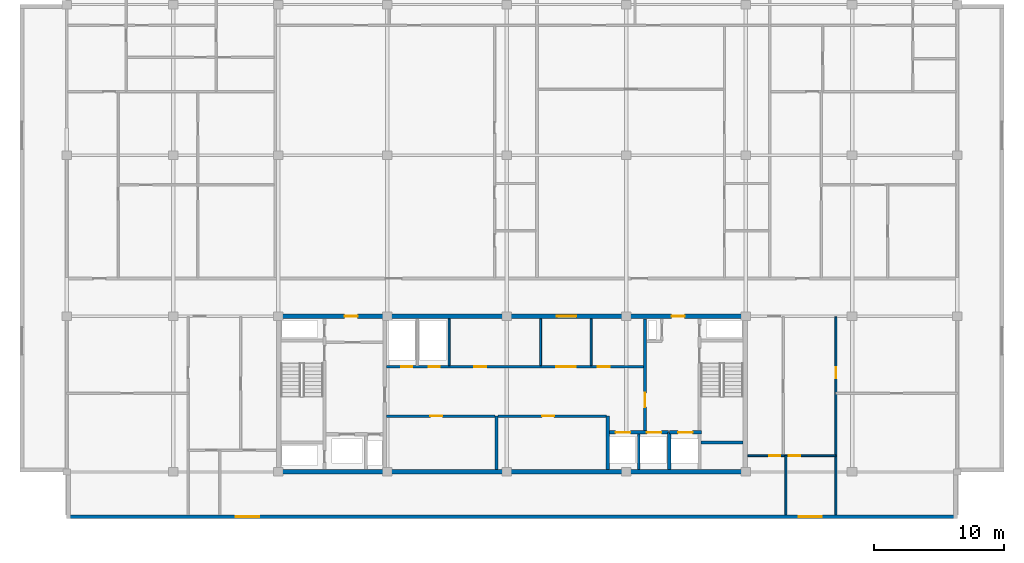
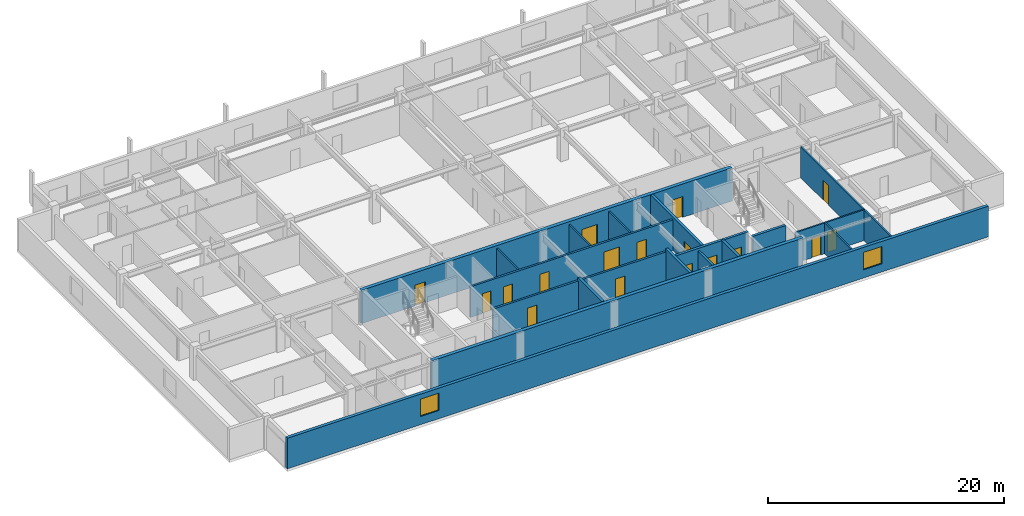
# One storey, part 4 of 10: 20 walls, 17 doors, 2 windows, 19 openings.
"""IFC4 building model written with IfcOpenShell, lengths in metres."""

from ifc_helpers import new_model, si_unit, direction, frame, frame_2d, origin, place, context, subcontext, project, spatial, rectangle, extrude, material, layer, layer_set, type_object, element, fill, save


model = new_model("IFC4")

# Units and contexts
model_context = context("Model", 3, precision=1e-05, world=origin(), true_north=direction((0.0, 1.0)))
body_context = subcontext(model_context, "Body", "Model", "MODEL_VIEW")
ifc_project = project(units=[si_unit("LENGTHUNIT", "METRE"), si_unit("AREAUNIT", "SQUARE_METRE"), si_unit("VOLUMEUNIT", "CUBIC_METRE"), si_unit("PLANEANGLEUNIT", "RADIAN"), si_unit("MASSUNIT", "GRAM", prefix="KILO")], contexts=[model_context])

# Site, building, storey
site_placement = place(None, origin())
site = spatial("IfcSite", under=ifc_project, at=site_placement, CompositionType="ELEMENT")
building_placement = place(site_placement, origin())
building = spatial("IfcBuilding", under=site, at=building_placement, Name="Korimba Cascade Residences", CompositionType="ELEMENT")
storey_placement = place(building_placement, frame((0.0, 0.0, 239.0)))
storey = spatial("IfcBuildingStorey", under=building, at=storey_placement, Name="L69", CompositionType="ELEMENT", Elevation=239.0)

# Wall, openings, windows
ifc_material_1 = material(Name="Precast concrete C40/50", Category="concrete")
ifc_layer_1 = layer(ifc_material_1, 0.300048828125)
ifc_layer_set_1 = layer_set([ifc_layer_1], Name="Precast concrete C40/50")
wall_type_1 = type_object("IfcWallType", Name="EW-STONE-300", PredefinedType="STANDARD", material=ifc_layer_set_1)
wall_1_placement = place(storey_placement, frame((59.800048828125, 51.75, 0.0), z_axis=(0.0, 0.0, 1.0), x_axis=(1.0, 0.0, 0.0)))
wall_1 = element("IfcWall", 1, at=wall_1_placement, inside=storey, type_object=wall_type_1, Name="L69 T1 Perimeter Stone Wall E00", PredefinedType="STANDARD", context=body_context, shape_type="SweptSolid", body=[
    extrude(rectangle(XDim=68.599853515625, YDim=0.300048828125, at=frame_2d((34.2998046875, 0.0))), origin(), (0.0, 0.0, 1.0), 3.169921875),
])
opening_1_placement = place(wall_1_placement, frame((13.02490234375, 0.0, 0.85009765625)))
opening_1 = element("IfcOpeningElement", 2, at=opening_1_placement, cuts=wall_1, Name="Opening W-02", PredefinedType="OPENING", context=body_context, shape_type="SweptSolid", body=[
    extrude(rectangle(XDim=1.800048828125, YDim=1.800048828125, at=frame_2d((0.89990234375, 0.89990234375))), frame((0.0, 0.16015625, 0.0), z_axis=(0.0, -1.0, 0.0), x_axis=(1.0, 0.0, 0.0)), (0.0, 0.0, 1.0), 0.320068359375),
])
opening_2_placement = place(wall_1_placement, frame((56.375, 0.0, 0.85009765625)))
opening_2 = element("IfcOpeningElement", 3, at=opening_2_placement, cuts=wall_1, Name="Opening W-02", PredefinedType="OPENING", context=body_context, shape_type="SweptSolid", body=[
    extrude(rectangle(XDim=1.800048828125, YDim=1.800048828125, at=frame_2d((0.89990234375, 0.89990234375))), frame((0.0, 0.16015625, 0.0), z_axis=(0.0, -1.0, 0.0), x_axis=(1.0, 0.0, 0.0)), (0.0, 0.0, 1.0), 0.320068359375),
])
ifc_material_2 = material(Name="Double-Glazed Aluminium Window", Category="aluminium")
window_type = type_object("IfcWindowType", Name="WIN-BED-1800", PartitioningType="SINGLE_PANEL", PredefinedType="WINDOW", material=ifc_material_2)
window_1_placement = place(opening_1_placement, origin())
window_1 = element("IfcWindow", 4, at=window_1_placement, inside=storey, type_object=window_type, Name="L69 T1 South Corner Bedroom Window 1", OverallHeight=1.800048828125, OverallWidth=1.800048828125, PartitioningType="SINGLE_PANEL", PredefinedType="WINDOW", context=body_context, shape_type="SweptSolid", body=[
    extrude(rectangle(XDim=1.800048828125, YDim=1.800048828125, at=frame_2d((0.89990234375, 0.89990234375))), frame((0.0, 0.030029296875, 0.0), z_axis=(0.0, -1.0, 0.0), x_axis=(1.0, 0.0, 0.0)), (0.0, 0.0, 1.0), 0.06005859375),
])
fill(opening_1, window_1)
window_2_placement = place(opening_2_placement, origin())
window_2 = element("IfcWindow", 5, at=window_2_placement, inside=storey, type_object=window_type, Name="L69 T1 South Corner Bedroom Window 2", OverallHeight=1.800048828125, OverallWidth=1.800048828125, PartitioningType="SINGLE_PANEL", PredefinedType="WINDOW", context=body_context, shape_type="SweptSolid", body=[
    extrude(rectangle(XDim=1.800048828125, YDim=1.800048828125, at=frame_2d((0.89990234375, 0.89990234375))), frame((0.0, 0.030029296875, 0.0), z_axis=(0.0, -1.0, 0.0), x_axis=(1.0, 0.0, 0.0)), (0.0, 0.0, 1.0), 0.06005859375),
])
fill(opening_2, window_2)

# Wall
ifc_material_3 = material(Name="Concrete C65/80", Category="concrete")
ifc_layer_2 = layer(ifc_material_3, 0.35009765625)
ifc_layer_set_2 = layer_set([ifc_layer_2], Name="Concrete C65/80")
wall_type_2 = type_object("IfcWallType", Name="WAL-CORE-350", PredefinedType="SHEAR", material=ifc_layer_set_2)
wall_2_placement = place(storey_placement, frame((75.949951171875, 55.199951171875, 0.0), z_axis=(0.0, 0.0, 1.0), x_axis=(1.0, 0.0, 0.0)))
element("IfcWall", 6, at=wall_2_placement, inside=storey, type_object=wall_type_2, Name="L69 Core Shear Wall CW-L69-T1-S", PredefinedType="SHEAR", context=body_context, shape_type="SweptSolid", body=[
    extrude(rectangle(XDim=36.300048828125, YDim=0.35009765625, at=frame_2d((18.14990234375, 0.0))), origin(), (0.0, 0.0, 1.0), 3.449951171875),
])

# Wall, openings, doors
wall_3_placement = place(storey_placement, frame((75.949951171875, 67.199951171875, 0.0), z_axis=(0.0, 0.0, 1.0), x_axis=(1.0, 0.0, 0.0)))
wall_3 = element("IfcWall", 7, at=wall_3_placement, inside=storey, type_object=wall_type_2, Name="L69 Core Shear Wall CW-L69-T1-N", PredefinedType="SHEAR", context=body_context, shape_type="SweptSolid", body=[
    extrude(rectangle(XDim=36.300048828125, YDim=0.35009765625, at=frame_2d((18.14990234375, 0.0))), origin(), (0.0, 0.0, 1.0), 3.449951171875),
])
opening_3_placement = place(wall_3_placement, frame((5.25, 0.0, 0.0)))
opening_3 = element("IfcOpeningElement", 8, at=opening_3_placement, cuts=wall_3, Name="Opening D-FD5", PredefinedType="OPENING", context=body_context, shape_type="SweptSolid", body=[
    extrude(rectangle(XDim=1.0, YDim=2.14990234375, at=frame_2d((0.5, 1.074951171875))), frame((0.0, 0.18505859375, 0.0), z_axis=(0.0, -1.0, 0.0), x_axis=(1.0, 0.0, 0.0)), (0.0, 0.0, 1.0), 0.3701171875),
])
opening_4_placement = place(wall_3_placement, frame((21.60009765625, 0.0, 0.0)))
opening_4 = element("IfcOpeningElement", 9, at=opening_4_placement, cuts=wall_3, Name="Opening D-FD8", PredefinedType="OPENING", context=body_context, shape_type="SweptSolid", body=[
    extrude(rectangle(XDim=1.5, YDim=2.199951171875, at=frame_2d((0.75, 1.10009765625))), frame((0.0, 0.18505859375, 0.0), z_axis=(0.0, -1.0, 0.0), x_axis=(1.0, 0.0, 0.0)), (0.0, 0.0, 1.0), 0.3701171875),
])
opening_5_placement = place(wall_3_placement, frame((30.449951171875, 0.0, 0.0)))
opening_5 = element("IfcOpeningElement", 10, at=opening_5_placement, cuts=wall_3, Name="Opening D-FD5", PredefinedType="OPENING", context=body_context, shape_type="SweptSolid", body=[
    extrude(rectangle(XDim=1.0, YDim=2.14990234375, at=frame_2d((0.5, 1.074951171875))), frame((0.0, 0.18505859375, 0.0), z_axis=(0.0, -1.0, 0.0), x_axis=(1.0, 0.0, 0.0)), (0.0, 0.0, 1.0), 0.3701171875),
])
ifc_material_4 = material(Name="Fire-Rated Acoustic Timber Vestibule Door", Category="wood")
door_type_1 = type_object("IfcDoorType", Name="DR-FD90-1000", OperationType="NOTDEFINED", PredefinedType="DOOR", material=ifc_material_4)
door_1_placement = place(opening_3_placement, origin())
door_1 = element("IfcDoor", 11, at=door_1_placement, inside=storey, type_object=door_type_1, Name="L69 T1 West Core Vestibule Fire Door", OperationType="SINGLE_SWING_RIGHT", OverallHeight=2.14990234375, OverallWidth=1.0, PredefinedType="DOOR", context=body_context, shape_type="SweptSolid", body=[
    extrude(rectangle(XDim=1.0, YDim=2.14990234375, at=frame_2d((0.5, 1.074951171875))), frame((0.0, 0.02490234375, 0.0), z_axis=(0.0, -1.0, 0.0), x_axis=(1.0, 0.0, 0.0)), (0.0, 0.0, 1.0), 0.050048828125),
])
fill(opening_3, door_1)
door_2_placement = place(opening_5_placement, origin())
door_2 = element("IfcDoor", 12, at=door_2_placement, inside=storey, type_object=door_type_1, Name="L69 T1 East Firefighting Vestibule Fire Door", OperationType="SINGLE_SWING_LEFT", OverallHeight=2.14990234375, OverallWidth=1.0, PredefinedType="DOOR", context=body_context, shape_type="SweptSolid", body=[
    extrude(rectangle(XDim=1.0, YDim=2.14990234375, at=frame_2d((0.5, 1.074951171875))), frame((0.0, 0.02490234375, 0.0), z_axis=(0.0, -1.0, 0.0), x_axis=(1.0, 0.0, 0.0)), (0.0, 0.0, 1.0), 0.050048828125),
])
fill(opening_5, door_2)
ifc_material_5 = material(Name="Fire-Rated Glazed Lift Lobby Double Door", Category="glass")
door_type_2 = type_object("IfcDoorType", Name="DR-FD90-1500", OperationType="NOTDEFINED", PredefinedType="DOOR", material=ifc_material_5)
door_3_placement = place(opening_4_placement, origin())
door_3 = element("IfcDoor", 13, at=door_3_placement, inside=storey, type_object=door_type_2, Name="L69 T1 Lift Lobby Fire Door", OperationType="DOUBLE_DOOR_SINGLE_SWING", OverallHeight=2.199951171875, OverallWidth=1.5, PredefinedType="DOOR", context=body_context, shape_type="SweptSolid", body=[
    extrude(rectangle(XDim=1.5, YDim=2.199951171875, at=frame_2d((0.75, 1.10009765625))), frame((0.0, 0.02490234375, 0.0), z_axis=(0.0, -1.0, 0.0), x_axis=(1.0, 0.0, 0.0)), (0.0, 0.0, 1.0), 0.050048828125),
])
fill(opening_4, door_3)

# Walls
ifc_material_6 = material(Name="Insulated Acoustic Stud Partition", Category="gypsum")
ifc_layer_3 = layer(ifc_material_6, 0.14990234375)
ifc_layer_set_3 = layer_set([ifc_layer_3], Name="Insulated Acoustic Stud Partition")
wall_type_3 = type_object("IfcWallType", Name="WAL-PART-150", PredefinedType="PARTITIONING", material=ifc_layer_set_3)
for number, where, z_axis, x_axis, name in (
    (14, (89.25, 63.39990234375, 0.0), (0.0, 0.0, 1.0), (0.0, 1.0, 0.0), "L69 Partition Wall CW-L69-T1-PRDIV"),
    (15, (96.300048828125, 63.39990234375, 0.0), (0.0, 0.0, 1.0), (0.0, 1.0, 0.0), "L69 Partition Wall CW-L69-T1-THW"),
    (16, (100.199951171875, 63.39990234375, 0.0), (0.0, 0.0, 1.0), (0.0, 1.0, 0.0), "L69 Partition Wall CW-L69-T1-THE"),
):
    element("IfcWall", number, at=place(storey_placement, frame(where, z_axis=z_axis, x_axis=x_axis)), inside=storey, type_object=wall_type_3, Name=name, PredefinedType="PARTITIONING", context=body_context, shape_type="SweptSolid", body=[
        extrude(rectangle(XDim=3.60009765625, YDim=0.14990234375, at=frame_2d((1.800048828125, 0.0))), origin(), (0.0, 0.0, 1.0), 3.169921875),
    ])

# Wall, opening, door
wall_4_placement = place(storey_placement, frame((119.050048828125, 51.89990234375, 0.0), z_axis=(0.0, 0.0, 1.0), x_axis=(0.0, 1.0, 0.0)))
wall_4 = element("IfcWall", 17, at=wall_4_placement, inside=storey, type_object=wall_type_3, Name="L69 Partition Wall WAL-L69-T1-FE-STV", PredefinedType="PARTITIONING", context=body_context, shape_type="SweptSolid", body=[
    extrude(rectangle(XDim=15.25, YDim=0.14990234375, at=frame_2d((7.625, 0.0))), origin(), (0.0, 0.0, 1.0), 3.169921875),
])
opening_6_placement = place(wall_4_placement, frame((10.5, 0.0, 0.0)))
opening_6 = element("IfcOpeningElement", 18, at=opening_6_placement, cuts=wall_4, Name="Opening D-IN2", PredefinedType="OPENING", context=body_context, shape_type="SweptSolid", body=[
    extrude(rectangle(XDim=0.8798828125, YDim=2.06005859375, at=frame_2d((0.43994140625, 1.030029296875))), frame((0.0, 0.0849609375, 0.0), z_axis=(0.0, -1.0, 0.0), x_axis=(1.0, 0.0, 0.0)), (0.0, 0.0, 1.0), 0.169921875),
])
ifc_material_7 = material(Name="Acoustic Timber Bedroom Door", Category="wood")
door_type_3 = type_object("IfcDoorType", Name="DR-INT-880", OperationType="NOTDEFINED", PredefinedType="DOOR", material=ifc_material_7)
door_4_placement = place(opening_6_placement, origin())
door_4 = element("IfcDoor", 19, at=door_4_placement, inside=storey, type_object=door_type_3, Name="L69-T1-FE Study Door", OperationType="SINGLE_SWING_LEFT", OverallHeight=2.06005859375, OverallWidth=0.8798828125, PredefinedType="DOOR", context=body_context, shape_type="SweptSolid", body=[
    extrude(rectangle(XDim=0.8798828125, YDim=2.06005859375, at=frame_2d((0.43994140625, 1.030029296875))), frame((0.0, 0.02490234375, 0.0), z_axis=(0.0, -1.0, 0.0), x_axis=(1.0, 0.0, 0.0)), (0.0, 0.0, 1.0), 0.050048828125),
])
fill(opening_6, door_4)

# Wall
wall_5_placement = place(storey_placement, frame((115.199951171875, 51.89990234375, 0.0), z_axis=(0.0, 0.0, 1.0), x_axis=(0.0, 1.0, 0.0)))
element("IfcWall", 20, at=wall_5_placement, inside=storey, type_object=wall_type_3, Name="L69 Partition Wall WAL-L69-T1-FE-VS", PredefinedType="PARTITIONING", context=body_context, shape_type="SweptSolid", body=[
    extrude(rectangle(XDim=4.550048828125, YDim=0.14990234375, at=frame_2d((2.27490234375, 0.0))), origin(), (0.0, 0.0, 1.0), 3.169921875),
])

# Wall, openings, doors
wall_6_placement = place(storey_placement, frame((112.27001953125, 56.449951171875, 0.0), z_axis=(0.0, 0.0, 1.0), x_axis=(1.0, 0.0, 0.0)))
wall_6 = element("IfcWall", 21, at=wall_6_placement, inside=storey, type_object=wall_type_3, Name="L69 Partition Wall WAL-L69-T1-FE-H", PredefinedType="PARTITIONING", context=body_context, shape_type="SweptSolid", body=[
    extrude(rectangle(XDim=6.760009765625, YDim=0.14990234375, at=frame_2d((3.3798828125, 0.0))), origin(), (0.0, 0.0, 1.0), 3.169921875),
])
opening_7_placement = place(wall_6_placement, frame((1.6396484375, 0.0, 0.0)))
opening_7 = element("IfcOpeningElement", 22, at=opening_7_placement, cuts=wall_6, Name="Opening D-BT1", PredefinedType="OPENING", context=body_context, shape_type="SweptSolid", body=[
    extrude(rectangle(XDim=0.840087890625, YDim=2.0400390625, at=frame_2d((0.419921875, 1.02001953125))), frame((0.0, 0.0849609375, 0.0), z_axis=(0.0, -1.0, 0.0), x_axis=(1.0, 0.0, 0.0)), (0.0, 0.0, 1.0), 0.169921875),
])
opening_8_placement = place(wall_6_placement, frame((3.160400390625, 0.0, 0.0)))
opening_8 = element("IfcOpeningElement", 23, at=opening_8_placement, cuts=wall_6, Name="Opening D-IN2", PredefinedType="OPENING", context=body_context, shape_type="SweptSolid", body=[
    extrude(rectangle(XDim=0.8798828125, YDim=2.06005859375, at=frame_2d((0.43994140625, 1.030029296875))), frame((0.0, 0.0849609375, 0.0), z_axis=(0.0, -1.0, 0.0), x_axis=(1.0, 0.0, 0.0)), (0.0, 0.0, 1.0), 0.169921875),
])
ifc_material_8 = material(Name="Moisture-Resistant Bathroom Timber Door", Category="wood")
door_type_4 = type_object("IfcDoorType", Name="DR-INT-850", OperationType="NOTDEFINED", PredefinedType="DOOR", material=ifc_material_8)
door_5_placement = place(opening_7_placement, origin())
door_5 = element("IfcDoor", 24, at=door_5_placement, inside=storey, type_object=door_type_4, Name="L69-T1-FE Bathroom Door", OperationType="SINGLE_SWING_LEFT", OverallHeight=2.0400390625, OverallWidth=0.840087890625, PredefinedType="DOOR", context=body_context, shape_type="SweptSolid", body=[
    extrude(rectangle(XDim=0.840087890625, YDim=2.0400390625, at=frame_2d((0.419921875, 1.02001953125))), frame((0.0, 0.02490234375, 0.0), z_axis=(0.0, -1.0, 0.0), x_axis=(1.0, 0.0, 0.0)), (0.0, 0.0, 1.0), 0.050048828125),
])
fill(opening_7, door_5)
door_6_placement = place(opening_8_placement, origin())
door_6 = element("IfcDoor", 25, at=door_6_placement, inside=storey, type_object=door_type_3, Name="L69-T1-FE Bedroom Door", OperationType="SINGLE_SWING_RIGHT", OverallHeight=2.06005859375, OverallWidth=0.8798828125, PredefinedType="DOOR", context=body_context, shape_type="SweptSolid", body=[
    extrude(rectangle(XDim=0.8798828125, YDim=2.06005859375, at=frame_2d((0.43994140625, 1.030029296875))), frame((0.0, 0.02490234375, 0.0), z_axis=(0.0, -1.0, 0.0), x_axis=(1.0, 0.0, 0.0)), (0.0, 0.0, 1.0), 0.050048828125),
])
fill(opening_8, door_6)

# Wall, opening, door
ifc_material_9 = material(Name="Concrete C40/50", Category="concrete")
ifc_layer_4 = layer(ifc_material_9, 0.199951171875)
ifc_layer_set_4 = layer_set([ifc_layer_4], Name="Concrete C40/50")
wall_type_4 = type_object("IfcWallType", Name="WAL-PART-200", PredefinedType="PARTITIONING", material=ifc_layer_set_4)
wall_7_placement = place(storey_placement, frame((84.419921875, 59.5, 0.0), z_axis=(0.0, 0.0, 1.0), x_axis=(1.0, 0.0, 0.0)))
wall_7 = element("IfcWall", 26, at=wall_7_placement, inside=storey, type_object=wall_type_4, Name="L69 Partition Wall CW-L69-T1-B1RN", PredefinedType="PARTITIONING", context=body_context, shape_type="SweptSolid", body=[
    extrude(rectangle(XDim=8.360107421875, YDim=0.199951171875, at=frame_2d((4.18017578125, 0.0))), origin(), (0.0, 0.0, 1.0), 3.169921875),
])
opening_9_placement = place(wall_7_placement, frame((3.39990234375, 0.0, 0.0)))
opening_9 = element("IfcOpeningElement", 27, at=opening_9_placement, cuts=wall_7, Name="Opening D-ST1", PredefinedType="OPENING", context=body_context, shape_type="SweptSolid", body=[
    extrude(rectangle(XDim=0.919921875, YDim=2.080078125, at=frame_2d((0.4599609375, 1.0400390625))), frame((0.0, 0.10986328125, 0.0), z_axis=(0.0, -1.0, 0.0), x_axis=(1.0, 0.0, 0.0)), (0.0, 0.0, 1.0), 0.219970703125),
])
ifc_material_10 = material(Name="Fire-Rated Core Store Door", Category="wood")
door_type_5 = type_object("IfcDoorType", Name="DR-FD60-920", OperationType="NOTDEFINED", PredefinedType="DOOR", material=ifc_material_10)
door_7_placement = place(opening_9_placement, origin())
door_7 = element("IfcDoor", 28, at=door_7_placement, inside=storey, type_object=door_type_5, Name="L69 Resident Storage Door", OperationType="SINGLE_SWING_RIGHT", OverallHeight=2.080078125, OverallWidth=0.919921875, PredefinedType="DOOR", context=body_context, shape_type="SweptSolid", body=[
    extrude(rectangle(XDim=0.919921875, YDim=2.080078125, at=frame_2d((0.4599609375, 1.0400390625))), frame((0.0, 0.02490234375, 0.0), z_axis=(0.0, -1.0, 0.0), x_axis=(1.0, 0.0, 0.0)), (0.0, 0.0, 1.0), 0.050048828125),
])
fill(opening_9, door_7)

wall_8_placement = place(storey_placement, frame((93.02001953125, 59.5, 0.0), z_axis=(0.0, 0.0, 1.0), x_axis=(1.0, 0.0, 0.0)))
wall_8 = element("IfcWall", 29, at=wall_8_placement, inside=storey, type_object=wall_type_4, Name="L69 Partition Wall CW-L69-T1-B2RN", PredefinedType="PARTITIONING", context=body_context, shape_type="SweptSolid", body=[
    extrude(rectangle(XDim=8.35986328125, YDim=0.199951171875, at=frame_2d((4.179931640625, 0.0))), origin(), (0.0, 0.0, 1.0), 3.169921875),
])
opening_10_placement = place(wall_8_placement, frame((3.39990234375, 0.0, 0.0)))
opening_10 = element("IfcOpeningElement", 30, at=opening_10_placement, cuts=wall_8, Name="Opening D-ST1", PredefinedType="OPENING", context=body_context, shape_type="SweptSolid", body=[
    extrude(rectangle(XDim=0.919921875, YDim=2.080078125, at=frame_2d((0.4599609375, 1.0400390625))), frame((0.0, 0.10986328125, 0.0), z_axis=(0.0, -1.0, 0.0), x_axis=(1.0, 0.0, 0.0)), (0.0, 0.0, 1.0), 0.219970703125),
])
door_8_placement = place(opening_10_placement, origin())
door_8 = element("IfcDoor", 31, at=door_8_placement, inside=storey, type_object=door_type_5, Name="L69 Wine Cellar Store Door", OperationType="SINGLE_SWING_LEFT", OverallHeight=2.080078125, OverallWidth=0.919921875, PredefinedType="DOOR", context=body_context, shape_type="SweptSolid", body=[
    extrude(rectangle(XDim=0.919921875, YDim=2.080078125, at=frame_2d((0.4599609375, 1.0400390625))), frame((0.0, 0.02490234375, 0.0), z_axis=(0.0, -1.0, 0.0), x_axis=(1.0, 0.0, 0.0)), (0.0, 0.0, 1.0), 0.050048828125),
])
fill(opening_10, door_8)

# Wall
wall_9_placement = place(storey_placement, frame((103.85009765625, 55.39990234375, 0.0), z_axis=(0.0, 0.0, 1.0), x_axis=(0.0, 1.0, 0.0)))
element("IfcWall", 32, at=wall_9_placement, inside=storey, type_object=wall_type_4, Name="L69 Partition Wall CW-L69-T1-B3D1", PredefinedType="PARTITIONING", context=body_context, shape_type="SweptSolid", body=[
    extrude(rectangle(XDim=2.72021484375, YDim=0.199951171875, at=frame_2d((1.360107421875, 0.0))), origin(), (0.0, 0.0, 1.0), 3.169921875),
])

# Wall, openings, doors
wall_10_placement = place(storey_placement, frame((84.419921875, 63.300048828125, 0.0), z_axis=(0.0, 0.0, 1.0), x_axis=(1.0, 0.0, 0.0)))
wall_10 = element("IfcWall", 33, at=wall_10_placement, inside=storey, type_object=wall_type_4, Name="L69 Partition Wall CW-L69-T1-SRVROW", PredefinedType="PARTITIONING", context=body_context, shape_type="SweptSolid", body=[
    extrude(rectangle(XDim=19.830078125, YDim=0.199951171875, at=frame_2d((9.9150390625, 0.0))), origin(), (0.0, 0.0, 1.0), 3.169921875),
])
opening_11_placement = place(wall_10_placement, frame((1.14990234375, 0.0, 0.0)))
opening_11 = element("IfcOpeningElement", 34, at=opening_11_placement, cuts=wall_10, Name="Opening D-RS1", PredefinedType="OPENING", context=body_context, shape_type="SweptSolid", body=[
    extrude(rectangle(XDim=0.85009765625, YDim=2.050048828125, at=frame_2d((0.425048828125, 1.02490234375))), frame((0.0, 0.10986328125, 0.0), z_axis=(0.0, -1.0, 0.0), x_axis=(1.0, 0.0, 0.0)), (0.0, 0.0, 1.0), 0.219970703125),
])
opening_12_placement = place(wall_10_placement, frame((3.25, 0.0, 0.0)))
opening_12 = element("IfcOpeningElement", 35, at=opening_12_placement, cuts=wall_10, Name="Opening D-RS1", PredefinedType="OPENING", context=body_context, shape_type="SweptSolid", body=[
    extrude(rectangle(XDim=0.85009765625, YDim=2.050048828125, at=frame_2d((0.425048828125, 1.02490234375))), frame((0.0, 0.10986328125, 0.0), z_axis=(0.0, -1.0, 0.0), x_axis=(1.0, 0.0, 0.0)), (0.0, 0.0, 1.0), 0.219970703125),
])
opening_13_placement = place(wall_10_placement, frame((13.080078125, 0.0, 0.0)))
opening_13 = element("IfcOpeningElement", 36, at=opening_13_placement, cuts=wall_10, Name="Opening D-FD8", PredefinedType="OPENING", context=body_context, shape_type="SweptSolid", body=[
    extrude(rectangle(XDim=1.5, YDim=2.199951171875, at=frame_2d((0.75, 1.10009765625))), frame((0.0, 0.10986328125, 0.0), z_axis=(0.0, -1.0, 0.0), x_axis=(1.0, 0.0, 0.0)), (0.0, 0.0, 1.0), 0.219970703125),
])
opening_14_placement = place(wall_10_placement, frame((6.780029296875, 0.0, 0.0)))
opening_14 = element("IfcOpeningElement", 37, at=opening_14_placement, cuts=wall_10, Name="Opening D-IN1", PredefinedType="OPENING", context=body_context, shape_type="SweptSolid", body=[
    extrude(rectangle(XDim=0.919921875, YDim=2.080078125, at=frame_2d((0.4599609375, 1.0400390625))), frame((0.0, 0.10986328125, 0.0), z_axis=(0.0, -1.0, 0.0), x_axis=(1.0, 0.0, 0.0)), (0.0, 0.0, 1.0), 0.219970703125),
])
opening_15_placement = place(wall_10_placement, frame((16.280029296875, 0.0, 0.0)))
opening_15 = element("IfcOpeningElement", 38, at=opening_15_placement, cuts=wall_10, Name="Opening D-IN1", PredefinedType="OPENING", context=body_context, shape_type="SweptSolid", body=[
    extrude(rectangle(XDim=0.919921875, YDim=2.080078125, at=frame_2d((0.4599609375, 1.0400390625))), frame((0.0, 0.10986328125, 0.0), z_axis=(0.0, -1.0, 0.0), x_axis=(1.0, 0.0, 0.0)), (0.0, 0.0, 1.0), 0.219970703125),
])
ifc_material_11 = material(Name="Fire-Rated Steel Riser Access Door", Category="steel")
door_type_6 = type_object("IfcDoorType", Name="DR-FD60-850", OperationType="NOTDEFINED", PredefinedType="DOOR", material=ifc_material_11)
door_9_placement = place(opening_11_placement, origin())
door_9 = element("IfcDoor", 39, at=door_9_placement, inside=storey, type_object=door_type_6, Name="L69 Electrical Riser Door", OperationType="SINGLE_SWING_RIGHT", OverallHeight=2.050048828125, OverallWidth=0.85009765625, PredefinedType="DOOR", context=body_context, shape_type="SweptSolid", body=[
    extrude(rectangle(XDim=0.85009765625, YDim=2.050048828125, at=frame_2d((0.425048828125, 1.02490234375))), frame((0.0, 0.02490234375, 0.0), z_axis=(0.0, -1.0, 0.0), x_axis=(1.0, 0.0, 0.0)), (0.0, 0.0, 1.0), 0.050048828125),
])
fill(opening_11, door_9)
door_10_placement = place(opening_12_placement, origin())
door_10 = element("IfcDoor", 40, at=door_10_placement, inside=storey, type_object=door_type_6, Name="L69 Plumbing Riser Door", OperationType="SINGLE_SWING_LEFT", OverallHeight=2.050048828125, OverallWidth=0.85009765625, PredefinedType="DOOR", context=body_context, shape_type="SweptSolid", body=[
    extrude(rectangle(XDim=0.85009765625, YDim=2.050048828125, at=frame_2d((0.425048828125, 1.02490234375))), frame((0.0, 0.02490234375, 0.0), z_axis=(0.0, -1.0, 0.0), x_axis=(1.0, 0.0, 0.0)), (0.0, 0.0, 1.0), 0.050048828125),
])
fill(opening_12, door_10)
door_11_placement = place(opening_13_placement, origin())
door_11 = element("IfcDoor", 41, at=door_11_placement, inside=storey, type_object=door_type_2, Name="L69 Lift Lobby Foyer Archway Door", OperationType="DOUBLE_DOOR_SINGLE_SWING", OverallHeight=2.199951171875, OverallWidth=1.5, PredefinedType="DOOR", context=body_context, shape_type="SweptSolid", body=[
    extrude(rectangle(XDim=1.5, YDim=2.199951171875, at=frame_2d((0.75, 1.10009765625))), frame((0.0, 0.02490234375, 0.0), z_axis=(0.0, -1.0, 0.0), x_axis=(1.0, 0.0, 0.0)), (0.0, 0.0, 1.0), 0.050048828125),
])
fill(opening_13, door_11)
ifc_material_12 = material(Name="Acoustic Timber Living Door", Category="wood")
door_type_7 = type_object("IfcDoorType", Name="DR-INT-920", OperationType="NOTDEFINED", PredefinedType="DOOR", material=ifc_material_12)
door_12_placement = place(opening_14_placement, origin())
door_12 = element("IfcDoor", 42, at=door_12_placement, inside=storey, type_object=door_type_7, Name="L69 Housekeeping Door", OperationType="SINGLE_SWING_RIGHT", OverallHeight=2.080078125, OverallWidth=0.919921875, PredefinedType="DOOR", context=body_context, shape_type="SweptSolid", body=[
    extrude(rectangle(XDim=0.919921875, YDim=2.080078125, at=frame_2d((0.4599609375, 1.0400390625))), frame((0.0, 0.02490234375, 0.0), z_axis=(0.0, -1.0, 0.0), x_axis=(1.0, 0.0, 0.0)), (0.0, 0.0, 1.0), 0.050048828125),
])
fill(opening_14, door_12)
door_13_placement = place(opening_15_placement, origin())
door_13 = element("IfcDoor", 43, at=door_13_placement, inside=storey, type_object=door_type_7, Name="L69 Store Door", OperationType="SINGLE_SWING_LEFT", OverallHeight=2.080078125, OverallWidth=0.919921875, PredefinedType="DOOR", context=body_context, shape_type="SweptSolid", body=[
    extrude(rectangle(XDim=0.919921875, YDim=2.080078125, at=frame_2d((0.4599609375, 1.0400390625))), frame((0.0, 0.02490234375, 0.0), z_axis=(0.0, -1.0, 0.0), x_axis=(1.0, 0.0, 0.0)), (0.0, 0.0, 1.0), 0.050048828125),
])
fill(opening_15, door_13)

# Walls
ifc_material_13 = material(Name="Concrete C50/60", Category="concrete")
ifc_layer_5 = layer(ifc_material_13, 0.25)
ifc_layer_set_5 = layer_set([ifc_layer_5], Name="Concrete C50/60")
wall_type_5 = type_object("IfcWallType", Name="WAL-SHAFT-250", PredefinedType="SHEAR", material=ifc_layer_set_5)
for number, where, z_axis, x_axis, name in (
    (44, (92.89990234375, 55.39990234375, 0.0), (0.0, 0.0, 1.0), (0.0, 1.0, 0.0), "L69 Core Shear Wall CW-L69-T1-B12DIV"),
    (45, (101.47998046875, 55.39990234375, 0.0), (0.0, 0.0, 1.0), (0.0, 1.0, 0.0), "L69 Core Shear Wall CW-L69-T1-B23DIV"),
):
    element("IfcWall", number, at=place(storey_placement, frame(where, z_axis=z_axis, x_axis=x_axis)), inside=storey, type_object=wall_type_5, Name=name, PredefinedType="SHEAR", context=body_context, shape_type="SweptSolid", body=[
        extrude(rectangle(XDim=4.10009765625, YDim=0.25, at=frame_2d((2.050048828125, 0.0))), origin(), (0.0, 0.0, 1.0), 3.449951171875),
    ])

# Wall, openings, doors
wall_11_placement = place(storey_placement, frame((101.550048828125, 58.25, 0.0), z_axis=(0.0, 0.0, 1.0), x_axis=(1.0, 0.0, 0.0)))
wall_11 = element("IfcWall", 46, at=wall_11_placement, inside=storey, type_object=wall_type_5, Name="L69 Core Shear Wall CW-L69-T1-B3N", PredefinedType="SHEAR", context=body_context, shape_type="SweptSolid", body=[
    extrude(rectangle(XDim=4.599853515625, YDim=0.25, at=frame_2d((2.2998046875, 0.0))), origin(), (0.0, 0.0, 1.0), 3.449951171875),
])
opening_16_placement = place(wall_11_placement, frame((0.5400390625, 0.0, 0.0)))
opening_16 = element("IfcOpeningElement", 47, at=opening_16_placement, cuts=wall_11, Name="Opening LD-01", PredefinedType="OPENING", context=body_context, shape_type="SweptSolid", body=[
    extrude(rectangle(XDim=1.1201171875, YDim=2.1201171875, at=frame_2d((0.56005859375, 1.06005859375))), frame((0.0, 0.135009765625, 0.0), z_axis=(0.0, -1.0, 0.0), x_axis=(1.0, 0.0, 0.0)), (0.0, 0.0, 1.0), 0.27001953125),
])
opening_17_placement = place(wall_11_placement, frame((2.93994140625, 0.0, 0.0)))
opening_17 = element("IfcOpeningElement", 48, at=opening_17_placement, cuts=wall_11, Name="Opening LD-01", PredefinedType="OPENING", context=body_context, shape_type="SweptSolid", body=[
    extrude(rectangle(XDim=1.1201171875, YDim=2.1201171875, at=frame_2d((0.56005859375, 1.06005859375))), frame((0.0, 0.135009765625, 0.0), z_axis=(0.0, -1.0, 0.0), x_axis=(1.0, 0.0, 0.0)), (0.0, 0.0, 1.0), 0.27001953125),
])
ifc_material_14 = material(Name="Stainless Steel Lift Landing Sliding Door", Category="steel")
door_type_8 = type_object("IfcDoorType", Name="DR-LIFT-1100", OperationType="NOTDEFINED", PredefinedType="DOOR", material=ifc_material_14)
door_14_placement = place(opening_16_placement, origin())
door_14 = element("IfcDoor", 49, at=door_14_placement, inside=storey, type_object=door_type_8, Name="L69 Lift Landing Door PL-W7", OperationType="SLIDING_TO_LEFT", OverallHeight=2.1201171875, OverallWidth=1.1201171875, PredefinedType="DOOR", context=body_context, shape_type="SweptSolid", body=[
    extrude(rectangle(XDim=1.1201171875, YDim=2.1201171875, at=frame_2d((0.56005859375, 1.06005859375))), frame((0.0, 0.02490234375, 0.0), z_axis=(0.0, -1.0, 0.0), x_axis=(1.0, 0.0, 0.0)), (0.0, 0.0, 1.0), 0.050048828125),
])
fill(opening_16, door_14)
door_15_placement = place(opening_17_placement, origin())
door_15 = element("IfcDoor", 50, at=door_15_placement, inside=storey, type_object=door_type_8, Name="L69 Lift Landing Door PL-W8", OperationType="SLIDING_TO_LEFT", OverallHeight=2.1201171875, OverallWidth=1.1201171875, PredefinedType="DOOR", context=body_context, shape_type="SweptSolid", body=[
    extrude(rectangle(XDim=1.1201171875, YDim=2.1201171875, at=frame_2d((0.56005859375, 1.06005859375))), frame((0.0, 0.02490234375, 0.0), z_axis=(0.0, -1.0, 0.0), x_axis=(1.0, 0.0, 0.0)), (0.0, 0.0, 1.0), 0.050048828125),
])
fill(opening_17, door_15)

# Wall
wall_12_placement = place(storey_placement, frame((106.219970703125, 55.39990234375, 0.0), z_axis=(0.0, 0.0, 1.0), x_axis=(0.0, 1.0, 0.0)))
element("IfcWall", 51, at=wall_12_placement, inside=storey, type_object=wall_type_5, Name="L69 Core Shear Wall CW-L69-T1-FF2W", PredefinedType="SHEAR", context=body_context, shape_type="SweptSolid", body=[
    extrude(rectangle(XDim=2.85009765625, YDim=0.25, at=frame_2d((1.425048828125, 0.0))), origin(), (0.0, 0.0, 1.0), 3.449951171875),
])

# Wall, opening, door
wall_13_placement = place(storey_placement, frame((106.219970703125, 58.25, 0.0), z_axis=(0.0, 0.0, 1.0), x_axis=(1.0, 0.0, 0.0)))
wall_13 = element("IfcWall", 52, at=wall_13_placement, inside=storey, type_object=wall_type_5, Name="L69 Core Shear Wall CW-L69-T1-FF2N", PredefinedType="SHEAR", context=body_context, shape_type="SweptSolid", body=[
    extrude(rectangle(XDim=2.4599609375, YDim=0.25, at=frame_2d((1.22998046875, 0.0))), origin(), (0.0, 0.0, 1.0), 3.449951171875),
])
opening_18_placement = place(wall_13_placement, frame((0.669921875, 0.0, 0.0)))
opening_18 = element("IfcOpeningElement", 53, at=opening_18_placement, cuts=wall_13, Name="Opening LD-01", PredefinedType="OPENING", context=body_context, shape_type="SweptSolid", body=[
    extrude(rectangle(XDim=1.1201171875, YDim=2.1201171875, at=frame_2d((0.56005859375, 1.06005859375))), frame((0.0, 0.135009765625, 0.0), z_axis=(0.0, -1.0, 0.0), x_axis=(1.0, 0.0, 0.0)), (0.0, 0.0, 1.0), 0.27001953125),
])
door_16_placement = place(opening_18_placement, origin())
door_16 = element("IfcDoor", 54, at=door_16_placement, inside=storey, type_object=door_type_8, Name="L69 Firefighting Lift Landing Door FFL-W2", OperationType="SLIDING_TO_RIGHT", OverallHeight=2.1201171875, OverallWidth=1.1201171875, PredefinedType="DOOR", context=body_context, shape_type="SweptSolid", body=[
    extrude(rectangle(XDim=1.1201171875, YDim=2.1201171875, at=frame_2d((0.56005859375, 1.06005859375))), frame((0.0, 0.02490234375, 0.0), z_axis=(0.0, -1.0, 0.0), x_axis=(1.0, 0.0, 0.0)), (0.0, 0.0, 1.0), 0.050048828125),
])
fill(opening_18, door_16)

wall_14_placement = place(storey_placement, frame((104.35009765625, 58.39990234375, 0.0), z_axis=(0.0, 0.0, 1.0), x_axis=(0.0, 1.0, 0.0)))
wall_14 = element("IfcWall", 55, at=wall_14_placement, inside=storey, type_object=wall_type_5, Name="L69 Core Shear Wall CW-L69-T1-LLEV", PredefinedType="SHEAR", context=body_context, shape_type="SweptSolid", body=[
    extrude(rectangle(XDim=8.60009765625, YDim=0.25, at=frame_2d((4.300048828125, 0.0))), origin(), (0.0, 0.0, 1.0), 3.449951171875),
])
opening_19_placement = place(wall_14_placement, frame((1.800048828125, 0.0, 0.0)))
opening_19 = element("IfcOpeningElement", 56, at=opening_19_placement, cuts=wall_14, Name="Opening D-FD1", PredefinedType="OPENING", context=body_context, shape_type="SweptSolid", body=[
    extrude(rectangle(XDim=1.10009765625, YDim=2.10009765625, at=frame_2d((0.550048828125, 1.050048828125))), frame((0.0, 0.135009765625, 0.0), z_axis=(0.0, -1.0, 0.0), x_axis=(1.0, 0.0, 0.0)), (0.0, 0.0, 1.0), 0.27001953125),
])
ifc_material_15 = material(Name="Fire-Rated Steel Core Door", Category="steel")
door_type_9 = type_object("IfcDoorType", Name="DR-FD120-1100", OperationType="NOTDEFINED", PredefinedType="DOOR", material=ifc_material_15)
door_17_placement = place(opening_19_placement, origin())
door_17 = element("IfcDoor", 57, at=door_17_placement, inside=storey, type_object=door_type_9, Name="L69 Lift Lobby to East Firefighting Lobby Door", OperationType="SINGLE_SWING_LEFT", OverallHeight=2.10009765625, OverallWidth=1.10009765625, PredefinedType="DOOR", context=body_context, shape_type="SweptSolid", body=[
    extrude(rectangle(XDim=1.10009765625, YDim=2.10009765625, at=frame_2d((0.550048828125, 1.050048828125))), frame((0.0, 0.02490234375, 0.0), z_axis=(0.0, -1.0, 0.0), x_axis=(1.0, 0.0, 0.0)), (0.0, 0.0, 1.0), 0.050048828125),
])
fill(opening_19, door_17)

# Wall
wall_15_placement = place(storey_placement, frame((108.659912109375, 57.47509765625, 0.0), z_axis=(0.0, 0.0, 1.0), x_axis=(1.0, 0.0, 0.0)))
element("IfcWall", 58, at=wall_15_placement, inside=storey, type_object=wall_type_5, Name="L69 Core Shear Wall CW-L69-T1-STW2S", PredefinedType="SHEAR", context=body_context, shape_type="SweptSolid", body=[
    extrude(rectangle(XDim=3.239990234375, YDim=0.25, at=frame_2d((1.6201171875, 0.0))), origin(), (0.0, 0.0, 1.0), 3.449951171875),
])

save(model, "model.ifc")
